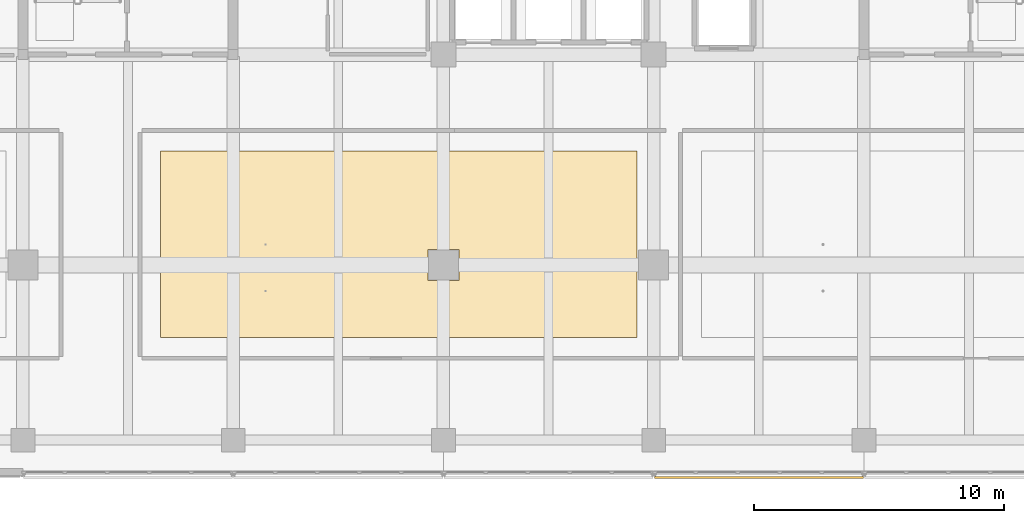
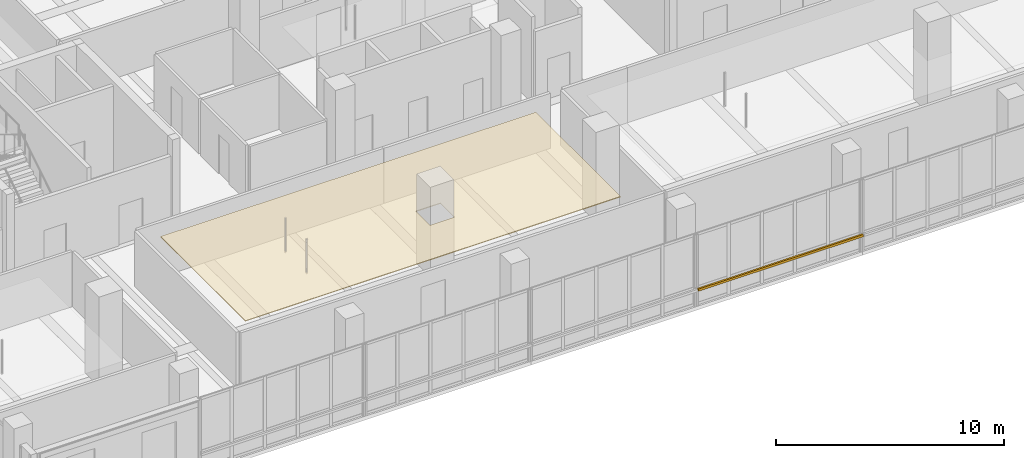
# One storey, part 106 of 128: 1 covering, 1 shading device.
"""IFC4 building model written with IfcOpenShell, lengths in metres."""

from ifc_helpers import new_model, si_unit, direction, frame, origin, origin_2d, place, context, subcontext, project, spatial, polyline, rectangle, outline, extrude, material, layer, layer_set, type_object, element, save


model = new_model("IFC4")

# Units and contexts
model_context = context("Model", 3, precision=1e-05, world=origin(), true_north=direction((0.0, 1.0)))
body_context = subcontext(model_context, "Body", "Model", "MODEL_VIEW")
ifc_project = project(units=[si_unit("LENGTHUNIT", "METRE"), si_unit("AREAUNIT", "SQUARE_METRE"), si_unit("VOLUMEUNIT", "CUBIC_METRE"), si_unit("PLANEANGLEUNIT", "RADIAN"), si_unit("MASSUNIT", "GRAM", prefix="KILO")], contexts=[model_context])

# Site, building, storey
site_placement = place(None, origin())
site = spatial("IfcSite", under=ifc_project, at=site_placement, CompositionType="ELEMENT")
building_placement = place(site_placement, origin())
building = spatial("IfcBuilding", under=site, at=building_placement, Name="Telukmera Botanical Conservatory", CompositionType="ELEMENT")
storey_placement = place(building_placement, frame((0.0, 0.0, 5.39990234375)))
storey = spatial("IfcBuildingStorey", under=building, at=storey_placement, Name="L01", CompositionType="ELEMENT", Elevation=5.39990234375)

# Covering
ifc_material_1 = material(Name="Perforated gypsum acoustic ceiling")
ifc_layer_1 = layer(ifc_material_1, 0.0400390625)
ifc_layer_set_1 = layer_set([ifc_layer_1], Name="Perforated gypsum acoustic ceiling")
covering_type = type_object("IfcCoveringType", Name="COV-CEIL-40", PredefinedType="CEILING", material=ifc_layer_set_1)
covering_placement = place(storey_placement, frame((0.0, 0.0, 2.760009765625)))
element("IfcCovering", 1, at=covering_placement, inside=storey, type_object=covering_type, Name="L01 Rare Flora Reading Room Suspended Acoustic Ceiling", PredefinedType="CEILING", context=body_context, shape_type="SweptSolid", body=[
    extrude(outline(polyline([(64.300048828125, 14.699951171875), (83.330078125, 14.699951171875), (83.330078125, 22.14990234375), (64.300048828125, 22.14990234375), (64.300048828125, 14.699951171875)]), holes=[polyline([(74.97998046875, 16.97998046875), (76.219970703125, 16.97998046875), (76.219970703125, 18.219970703125), (74.97998046875, 18.219970703125), (74.97998046875, 16.97998046875)])]), origin(), (0.0, 0.0, 1.0), 0.0400390625),
])

# Shading device
ifc_material_2 = material(Name="Perforated terracotta-anodised aluminium 6063-T6", Category="masonry")
ifc_layer_2 = layer(ifc_material_2, 0.044921875)
ifc_layer_set_2 = layer_set([ifc_layer_2], Name="Perforated terracotta-anodised aluminium 6063-T6")
shading_device_type = type_object("IfcShadingDeviceType", Name="Perforated Terracotta Aluminium Monsoon Brise Soleil", PredefinedType="JALOUSIE", material=ifc_layer_set_2)
shading_device_placement = place(storey_placement, frame((88.199951171875, 9.10498046875, 0.89013671875), z_axis=(0.0, 0.0, 1.0), x_axis=(1.0, 0.0, 0.0)))
element("IfcShadingDevice", 2, at=shading_device_placement, inside=storey, type_object=shading_device_type, Name="Monsoon Shading BS01 V4:L01:S5", PredefinedType="JALOUSIE", context=body_context, shape_type="SweptSolid", body=[
    extrude(rectangle(XDim=8.35595703125, YDim=0.090087890625, at=origin_2d()), origin(), (0.0, 0.0, 1.0), 0.1201171875),
])

save(model, "model.ifc")
